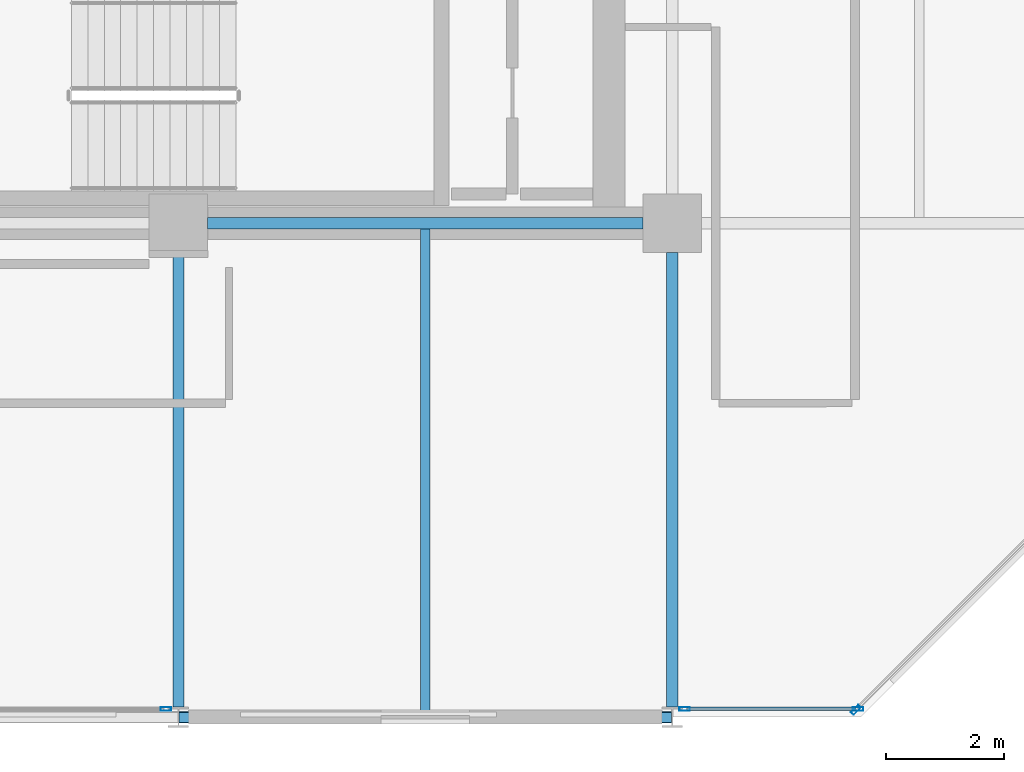
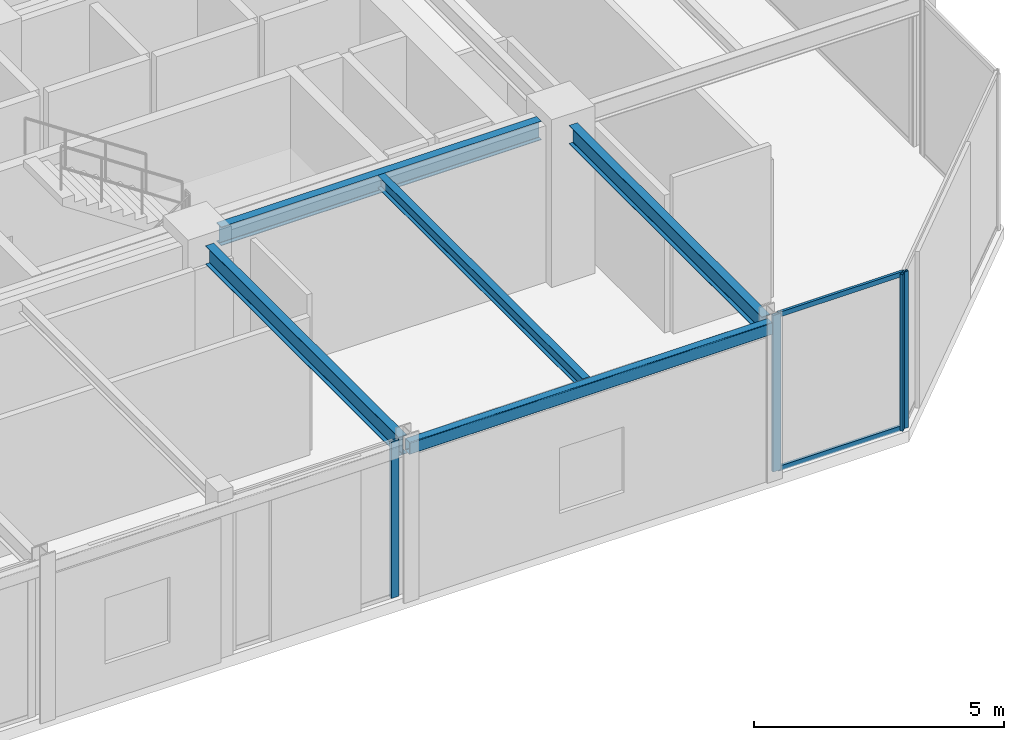
# One storey, part 11 of 29: 6 members, 5 beams, 3 elements without a shape of their own.
"""IFC4 building model written with IfcOpenShell, lengths in metres."""

from ifc_helpers import new_model, si_unit, direction, frame, origin, origin_2d, place, context, subcontext, project, spatial, hollow_rectangle, i_section, extrude, material, layer, layer_set, material_profile, profile_set, type_object, element, aggregate, save


model = new_model("IFC4")

# Units and contexts
model_context = context("Model", 3, precision=1e-05, world=origin(), true_north=direction((0.0, 1.0)))
body_context = subcontext(model_context, "Body", "Model", "MODEL_VIEW")
ifc_project = project(units=[si_unit("LENGTHUNIT", "METRE"), si_unit("AREAUNIT", "SQUARE_METRE"), si_unit("VOLUMEUNIT", "CUBIC_METRE"), si_unit("PLANEANGLEUNIT", "RADIAN"), si_unit("MASSUNIT", "GRAM", prefix="KILO")], contexts=[model_context])

# Site, building, storey
site_placement = place(None, origin())
site = spatial("IfcSite", under=ifc_project, at=site_placement, CompositionType="ELEMENT")
building_placement = place(site_placement, origin())
building = spatial("IfcBuilding", under=site, at=building_placement, Name="Nerrivon Quay Data Exchange", CompositionType="ELEMENT")
storey_placement = place(building_placement, frame((0.0, 0.0, 175.5)))
storey = spatial("IfcBuildingStorey", under=building, at=storey_placement, Name="L41", CompositionType="ELEMENT", Elevation=175.5)

# Beams
ifc_material_1 = material(Name="Steel Grade 350", Category="steel")
ifc_material_profile_1 = material_profile(ifc_material_1, i_section(OverallWidth=0.19091796875, OverallDepth=0.4599609375, WebThickness=0.010009765625, FlangeThickness=0.01611328125, FilletRadius=0.011474609375, at=origin_2d()), Name="460UB82.1")
ifc_profile_set_1 = profile_set([ifc_material_profile_1], Name="Steel Grade 350")
beam_type_1 = type_object("IfcBeamType", Name="BM-G5-460UB82", PredefinedType="BEAM", material=ifc_profile_set_1)
beam_1_placement = place(storey_placement, frame((25.699951171875, 8.39990234375, 3.594970703125), z_axis=(1.0, 0.0, 0.0), x_axis=(0.0, 1.0, 0.0)))
element("IfcBeam", 1, at=beam_1_placement, inside=storey, type_object=beam_type_1, Name="L41 EW Girder Y=8.4 (25.2..33.6)", PredefinedType="BEAM", context=body_context, shape_type="SweptSolid", body=[
    extrude(i_section(OverallWidth=0.19091796875, OverallDepth=0.4599609375, WebThickness=0.010009765625, FlangeThickness=0.01611328125, FilletRadius=0.011474609375, at=origin_2d()), origin(), (0.0, 0.0, 1.0), 7.400146484375),
])
ifc_material_profile_2 = material_profile(ifc_material_1, i_section(OverallWidth=0.18994140625, OverallDepth=0.4541015625, WebThickness=0.008544921875, FlangeThickness=0.0126953125, FilletRadius=0.011474609375, at=origin_2d()), Name="460UB67.1")
ifc_profile_set_2 = profile_set([ifc_material_profile_2], Name="Steel Grade 350")
beam_type_2 = type_object("IfcBeamType", Name="BM-G6-460UB67", PredefinedType="BEAM", material=ifc_profile_set_2)
for number, where, z_axis, x_axis, name in (
    (2, (25.199951171875, 0.175048828125, 3.597900390625), (0.0, 1.0, 0.0), (-1.0, 0.0, 0.0), "L41 NS Girder X=25.2 (0.0..8.4)"),
    (3, (33.60009765625, 0.175048828125, 3.597900390625), (0.0, 1.0, 0.0), (-1.0, 0.0, 0.0), "L41 NS Girder X=33.6 (0.0..8.4)"),
):
    element("IfcBeam", number, at=place(storey_placement, frame(where, z_axis=z_axis, x_axis=x_axis)), inside=storey, type_object=beam_type_2, Name=name, PredefinedType="BEAM", context=body_context, shape_type="SweptSolid", body=[
        extrude(i_section(OverallWidth=0.18994140625, OverallDepth=0.4541015625, WebThickness=0.008544921875, FlangeThickness=0.0126953125, FilletRadius=0.011474609375, at=origin_2d()), origin(), (0.0, 0.0, 1.0), 7.724853515625),
    ])
ifc_material_profile_3 = material_profile(ifc_material_1, i_section(OverallWidth=0.166015625, OverallDepth=0.306884765625, WebThickness=0.006591796875, FlangeThickness=0.01171875, FilletRadius=0.011474609375, at=origin_2d()), Name="310UB46.2")
ifc_profile_set_3 = profile_set([ifc_material_profile_3], Name="Steel Grade 350")
beam_type_3 = type_object("IfcBeamType", Name="BM-J5-310UB46", PredefinedType="JOIST", material=ifc_profile_set_3)
beam_2_placement = place(storey_placement, frame((29.39990234375, 0.10009765625, 3.67138671875), z_axis=(0.0, 1.0, 0.0), x_axis=(-1.0, 0.0, 0.0)))
element("IfcBeam", 4, at=beam_2_placement, inside=storey, type_object=beam_type_3, Name="L41 Secondary Joist X=29.4 (0.0..8.4)", PredefinedType="JOIST", context=body_context, shape_type="SweptSolid", body=[
    extrude(i_section(OverallWidth=0.166015625, OverallDepth=0.306884765625, WebThickness=0.006591796875, FlangeThickness=0.01171875, FilletRadius=0.011474609375, at=origin_2d()), origin(), (0.0, 0.0, 1.0), 8.204345703125),
])
ifc_material_2 = material(Name="Steel Grade C350L0 (350 MPa)", Category="steel")
ifc_material_profile_4 = material_profile(ifc_material_2, hollow_rectangle(XDim=0.199951171875, YDim=0.300048828125, WallThickness=0.012451171875, InnerFilletRadius=0.018798828125, OuterFilletRadius=0.03125, at=origin_2d()), Name="300x200x12.5RHS")
ifc_profile_set_4 = profile_set([ifc_material_profile_4], Name="Steel Grade C350L0 (350 MPa)")
beam_type_4 = type_object("IfcBeamType", Name="BM-SP3-300x200RHS", PredefinedType="SPANDREL", material=ifc_profile_set_4)
beam_3_placement = place(storey_placement, frame((25.2099609375, 0.0, 3.675048828125), z_axis=(1.0, 0.0, 0.0), x_axis=(0.0, 1.0, 0.0)))
element("IfcBeam", 5, at=beam_3_placement, inside=storey, type_object=beam_type_4, Name="L41 EW Girder Y=0.0 (25.2..33.6)", PredefinedType="SPANDREL", context=body_context, shape_type="SweptSolid", body=[
    extrude(hollow_rectangle(XDim=0.199951171875, YDim=0.300048828125, WallThickness=0.012451171875, InnerFilletRadius=0.018798828125, OuterFilletRadius=0.03125, at=origin_2d()), origin(), (0.0, 0.0, 1.0), 8.380126953125),
])

# Curtain wall, member
ifc_material_3 = material(Name="Anodised aluminium 6063-T6", Category="aluminium")
ifc_layer = layer(ifc_material_3, 0.195068359375)
ifc_layer_set = layer_set([ifc_layer], Name="Anodised aluminium 6063-T6")
curtain_wall_type = type_object("IfcCurtainWallType", Name="CW-SYS-06", PredefinedType="NOTDEFINED", material=ifc_layer_set)
curtain_wall_1_placement = place(storey_placement, origin())
curtain_wall_1 = element("IfcCurtainWall", 6, at=curtain_wall_1_placement, inside=storey, type_object=curtain_wall_type, Name="L41 Unitised Curtain Wall 21", PredefinedType="NOTDEFINED")
ifc_material_profile_5 = material_profile(ifc_material_3, hollow_rectangle(XDim=0.06494140625, YDim=0.179931640625, WallThickness=0.00341796875, at=origin_2d()), Name="ALU-MULL-180x65")
ifc_profile_set_5 = profile_set([ifc_material_profile_5], Name="Anodised aluminium 6063-T6")
member_type_1 = type_object("IfcMemberType", Name="CWM-180x65", PredefinedType="MULLION", material=ifc_profile_set_5)
member_1_placement = place(storey_placement, frame((36.7275390625, 0.12548828125, 0.0), z_axis=(0.0, 0.0, 1.0), x_axis=(0.707106781187, -0.707106781187, 0.0)))
member_1 = element("IfcMember", 7, at=member_1_placement, type_object=member_type_1, Name="CW06 mullion 2", PredefinedType="MULLION", context=body_context, shape_type="SweptSolid", body=[
    extrude(hollow_rectangle(XDim=0.06494140625, YDim=0.179931640625, WallThickness=0.00341796875, at=origin_2d()), origin(), (0.0, 0.0, 1.0), 3.824951171875),
])
aggregate(curtain_wall_1, [member_1])

# Curtain wall, members
curtain_wall_2_placement = place(storey_placement, origin())
curtain_wall_2 = element("IfcCurtainWall", 8, at=curtain_wall_2_placement, inside=storey, type_object=curtain_wall_type, Name="L41 Unitised Curtain Wall 22", PredefinedType="NOTDEFINED")
member_2_placement = place(storey_placement, frame((36.762451171875, 0.139892578125, 0.0), z_axis=(0.0, 0.0, 1.0), x_axis=(0.0, -1.0, 0.0)))
member_2 = element("IfcMember", 9, at=member_2_placement, type_object=member_type_1, Name="CW06 mullion 1", PredefinedType="MULLION", context=body_context, shape_type="SweptSolid", body=[
    extrude(hollow_rectangle(XDim=0.06494140625, YDim=0.179931640625, WallThickness=0.00341796875, at=origin_2d()), origin(), (0.0, 0.0, 1.0), 3.824951171875),
])
member_3_placement = place(storey_placement, frame((33.8125, 0.139892578125, 0.0), z_axis=(0.0, 0.0, 1.0), x_axis=(0.0, -1.0, 0.0)))
member_3 = element("IfcMember", 10, at=member_3_placement, type_object=member_type_1, Name="CW06 mullion 2", PredefinedType="MULLION", context=body_context, shape_type="SweptSolid", body=[
    extrude(hollow_rectangle(XDim=0.06494140625, YDim=0.179931640625, WallThickness=0.00341796875, at=origin_2d()), origin(), (0.0, 0.0, 1.0), 3.824951171875),
])

# Curtain wall, member
curtain_wall_3_placement = place(storey_placement, origin())
curtain_wall_3 = element("IfcCurtainWall", 11, at=curtain_wall_3_placement, inside=storey, type_object=curtain_wall_type, Name="L41 Unitised Curtain Wall 24", PredefinedType="NOTDEFINED")
member_4_placement = place(storey_placement, frame((24.987548828125, 0.139892578125, 0.0), z_axis=(0.0, 0.0, 1.0), x_axis=(0.0, -1.0, 0.0)))
member_4 = element("IfcMember", 12, at=member_4_placement, type_object=member_type_1, Name="CW06 mullion 1", PredefinedType="MULLION", context=body_context, shape_type="SweptSolid", body=[
    extrude(hollow_rectangle(XDim=0.06494140625, YDim=0.179931640625, WallThickness=0.00341796875, at=origin_2d()), origin(), (0.0, 0.0, 1.0), 3.824951171875),
])
aggregate(curtain_wall_3, [member_4])

# Member
ifc_material_profile_6 = material_profile(ifc_material_3, hollow_rectangle(XDim=0.06005859375, YDim=0.1201171875, WallThickness=0.003173828125, at=origin_2d()), Name="ALU-TRAN-120x60")
ifc_profile_set_6 = profile_set([ifc_material_profile_6], Name="Anodised aluminium 6063-T6")
member_type_2 = type_object("IfcMemberType", Name="CWT-120x60", PredefinedType="USERDEFINED", material=ifc_profile_set_6)
member_5_placement = place(storey_placement, frame((36.72509765625, 0.139892578125, 0.032470703125), z_axis=(-1.0, 0.0, 0.0), x_axis=(0.0, -1.0, 0.0)))
member_5 = element("IfcMember", 13, at=member_5_placement, type_object=member_type_2, Name="CW06 transom 1.1", ObjectType="TRANSOM", PredefinedType="USERDEFINED", context=body_context, shape_type="SweptSolid", body=[
    extrude(hollow_rectangle(XDim=0.06005859375, YDim=0.1201171875, WallThickness=0.003173828125, at=origin_2d()), origin(), (0.0, 0.0, 1.0), 2.875),
])

member_6_placement = place(storey_placement, frame((36.72509765625, 0.139892578125, 3.79248046875), z_axis=(-1.0, 0.0, 0.0), x_axis=(0.0, -1.0, 0.0)))
member_6 = element("IfcMember", 14, at=member_6_placement, type_object=member_type_2, Name="CW06 transom 1.2", ObjectType="TRANSOM", PredefinedType="USERDEFINED", context=body_context, shape_type="SweptSolid", body=[
    extrude(hollow_rectangle(XDim=0.06005859375, YDim=0.1201171875, WallThickness=0.003173828125, at=origin_2d()), origin(), (0.0, 0.0, 1.0), 2.875),
])

aggregate(curtain_wall_2, [member_2, member_3, member_5, member_6])

save(model, "model.ifc")
